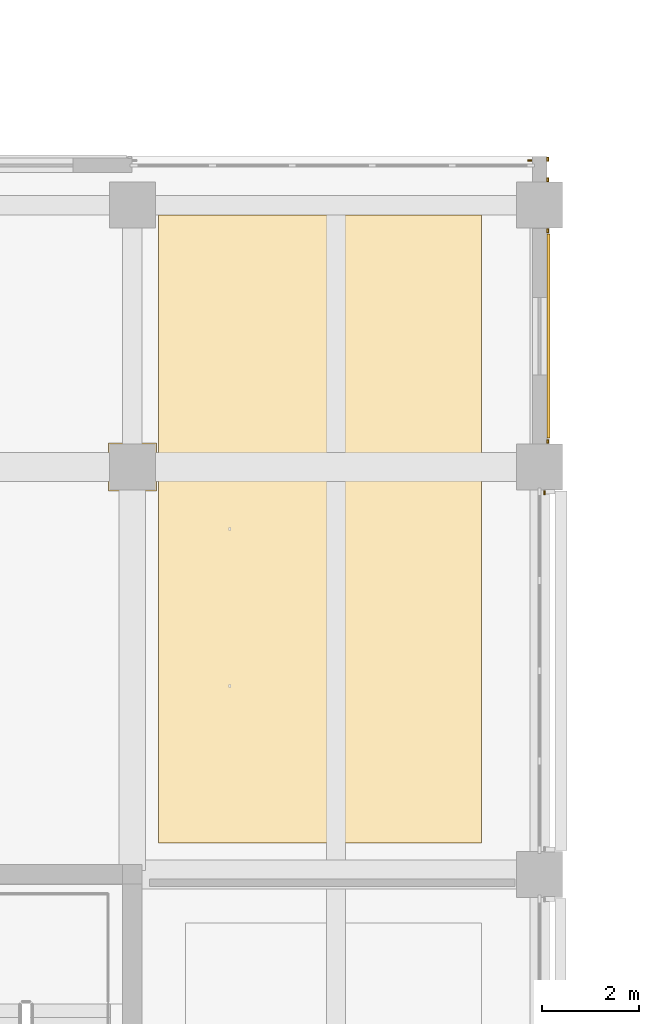
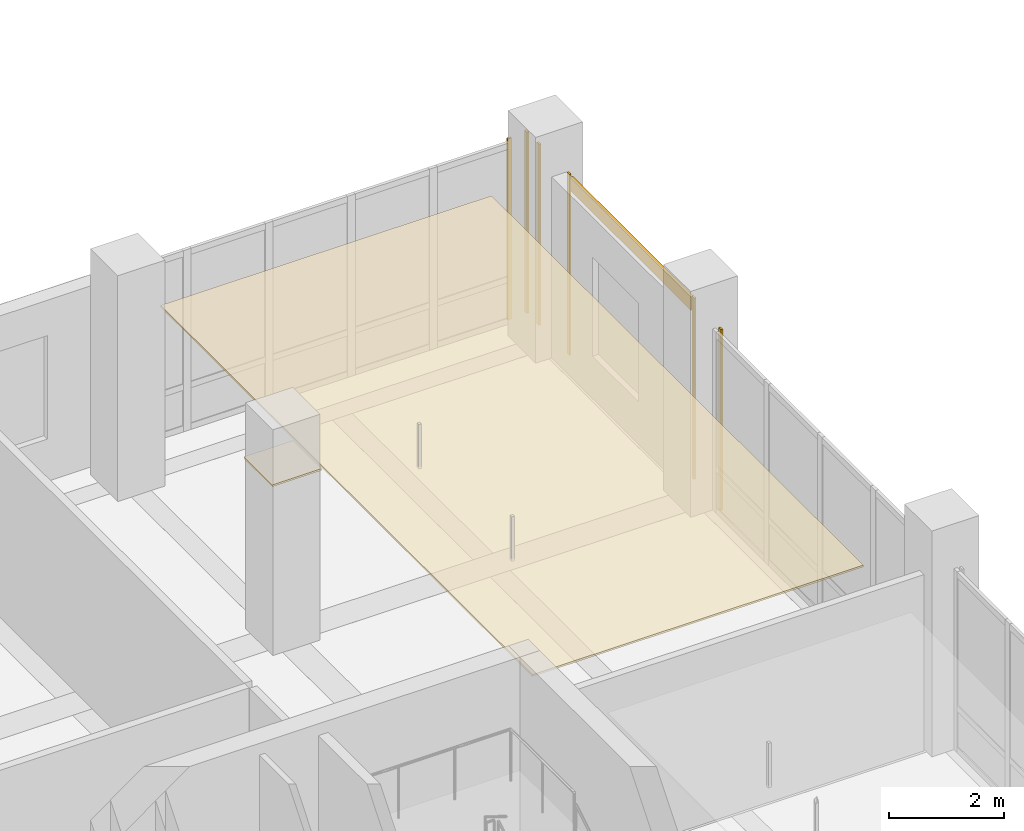
# One storey, part 118 of 122: 8 coverings.
"""IFC4 building model written with IfcOpenShell, lengths in metres."""

from ifc_helpers import new_model, si_unit, direction, frame, origin, origin_2d, place, context, subcontext, project, spatial, polyline, rectangle, outline, extrude, material, layer, layer_set, type_object, element, save


model = new_model("IFC4")

# Units and contexts
model_context = context("Model", 3, precision=1e-05, world=origin(), true_north=direction((0.0, 1.0)))
body_context = subcontext(model_context, "Body", "Model", "MODEL_VIEW")
ifc_project = project(units=[si_unit("LENGTHUNIT", "METRE"), si_unit("AREAUNIT", "SQUARE_METRE"), si_unit("VOLUMEUNIT", "CUBIC_METRE"), si_unit("PLANEANGLEUNIT", "RADIAN"), si_unit("MASSUNIT", "GRAM", prefix="KILO")], contexts=[model_context])

# Site, building, storey
site_placement = place(None, origin())
site = spatial("IfcSite", under=ifc_project, at=site_placement, CompositionType="ELEMENT")
building_placement = place(site_placement, origin())
building = spatial("IfcBuilding", under=site, at=building_placement, Name="Telukmera Botanical Conservatory", CompositionType="ELEMENT")
storey_placement = place(building_placement, frame((0.0, 0.0, 10.199951171875)))
storey = spatial("IfcBuildingStorey", under=building, at=storey_placement, Name="L02", CompositionType="ELEMENT", Elevation=10.199951171875)

# Coverings
ifc_material_1 = material(Name="Perforated gypsum acoustic ceiling")
ifc_layer_1 = layer(ifc_material_1, 0.0400390625)
ifc_layer_set_1 = layer_set([ifc_layer_1], Name="Perforated gypsum acoustic ceiling")
covering_type_1 = type_object("IfcCoveringType", Name="COV-CEIL-40", PredefinedType="CEILING", material=ifc_layer_set_1)
covering_1_placement = place(storey_placement, frame((0.0, 0.0, 3.610107421875)))
element("IfcCovering", 1, at=covering_1_placement, inside=storey, type_object=covering_type_1, Name="L02 Visiting Botanist Write-Up Studio Suspended Acoustic Ceiling", PredefinedType="CEILING", context=body_context, shape_type="SweptSolid", body=[
    extrude(outline(polyline([(101.344970703125, 35.050048828125), (108.0, 35.050048828125), (108.0, 48.0), (101.344970703125, 48.0), (101.344970703125, 35.050048828125)]), holes=[polyline([(100.304931640625, 42.304931640625), (101.294921875, 42.304931640625), (101.294921875, 43.294921875), (100.304931640625, 43.294921875), (100.304931640625, 42.304931640625)])]), origin(), (0.0, 0.0, 1.0), 0.0400390625),
])
ifc_material_2 = material(Name="Granite-faced precast concrete C40/50", Category="masonry")
ifc_layer_2 = layer(ifc_material_2, 0.0400390625)
ifc_layer_set_2 = layer_set([ifc_layer_2], Name="Granite-faced precast concrete C40/50")
covering_type_2 = type_object("IfcCoveringType", Name="Granite Precast Column Pier Reveal Casing", PredefinedType="CLADDING", material=ifc_layer_set_2)
for number, where, z_axis, x_axis, name in (
    (2, (109.3701171875, 48.72705078125, 0.0), (0.0, 0.0, 1.0), (0.0, 1.0, 0.0), "Granite Pier Reveal V4:L02:NEC L"),
    (3, (109.3701171875, 49.14990234375, 0.0), (0.0, 0.0, 1.0), (0.0, 1.0, 0.0), "Granite Pier Reveal V4:L02:NEC R"),
    (4, (108.998046875, 49.1201171875, 0.0), (0.0, 0.0, 1.0), (1.0, 0.0, 0.0), "Granite Pier Reveal V4:L02:N7 R"),
    (5, (109.300048828125, 42.27294921875, 0.0), (0.0, 0.0, 1.0), (0.0, 1.0, 0.0), "Granite Pier Reveal V4:L02:E4 R"),
    (6, (109.3701171875, 43.326904296875, 0.0), (0.0, 0.0, 1.0), (0.0, 1.0, 0.0), "Granite Pier Reveal V4:L02:E5 L"),
    (7, (109.3701171875, 47.673095703125, 0.0), (0.0, 0.0, 1.0), (0.0, 1.0, 0.0), "Granite Pier Reveal V4:L02:E5 R"),
):
    element("IfcCovering", number, at=place(storey_placement, frame(where, z_axis=z_axis, x_axis=x_axis)), inside=storey, type_object=covering_type_2, Name=name, PredefinedType="CLADDING", context=body_context, shape_type="SweptSolid", body=[
        extrude(rectangle(XDim=0.080078125, YDim=0.0400390625, at=origin_2d()), origin(), (0.0, 0.0, 1.0), 3.85009765625),
    ])
ifc_material_3 = material(Name="Terracotta-faced precast concrete C40/50", Category="masonry")
ifc_layer_3 = layer(ifc_material_3, 0.06005859375)
ifc_layer_set_3 = layer_set([ifc_layer_3], Name="Terracotta-faced precast concrete C40/50")
covering_type_3 = type_object("IfcCoveringType", Name="Polychrome Terracotta Facade Band Cladding", PredefinedType="CLADDING", material=ifc_layer_set_3)
covering_2_placement = place(storey_placement, frame((109.3798828125, 45.5, 3.5302734375), z_axis=(0.0, 0.0, 1.0), x_axis=(0.0, 1.0, 0.0)))
element("IfcCovering", 8, at=covering_2_placement, inside=storey, type_object=covering_type_3, Name="Polychrome Terracotta Band V4:L02:E5", PredefinedType="CLADDING", context=body_context, shape_type="SweptSolid", body=[
    extrude(rectangle(XDim=4.2060546875, YDim=0.06005859375, at=origin_2d()), origin(), (0.0, 0.0, 1.0), 0.280029296875),
])

save(model, "model.ifc")
